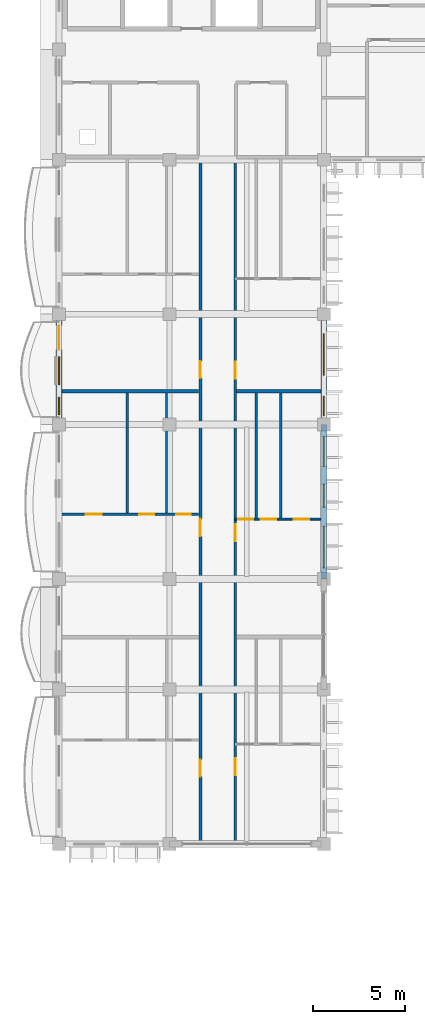
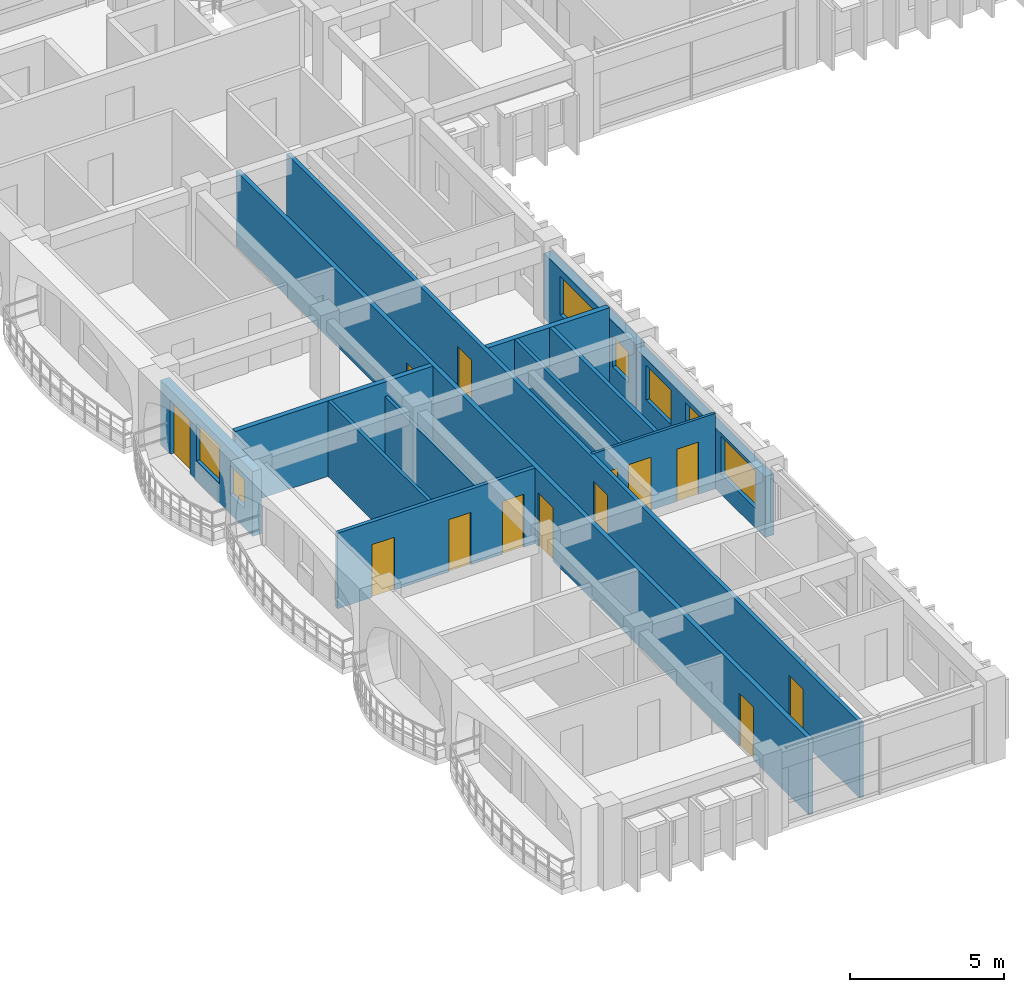
# One storey, part 30 of 76: 13 doors, 13 walls, 7 windows, 20 openings.
"""IFC4 building model written with IfcOpenShell, lengths in metres."""

from ifc_helpers import new_model, si_unit, direction, frame, frame_2d, origin, place, context, subcontext, project, spatial, rectangle, extrude, material, layer, layer_set, type_object, element, fill, save


model = new_model("IFC4")

# Units and contexts
model_context = context("Model", 3, precision=1e-05, world=origin(), true_north=direction((0.0, 1.0)))
body_context = subcontext(model_context, "Body", "Model", "MODEL_VIEW")
ifc_project = project(units=[si_unit("LENGTHUNIT", "METRE"), si_unit("AREAUNIT", "SQUARE_METRE"), si_unit("VOLUMEUNIT", "CUBIC_METRE"), si_unit("PLANEANGLEUNIT", "RADIAN"), si_unit("MASSUNIT", "GRAM", prefix="KILO"), si_unit("THERMODYNAMICTEMPERATUREUNIT", "KELVIN")], contexts=[model_context])

# Site, building, storey
site_placement = place(None, origin())
site = spatial("IfcSite", under=ifc_project, at=site_placement, CompositionType="ELEMENT")
building_placement = place(site_placement, origin())
building = spatial("IfcBuilding", under=site, at=building_placement, Name="Thalorik Housing Commons", CompositionType="ELEMENT")
storey_placement = place(building_placement, frame((0.0, 0.0, 18.0)))
storey = spatial("IfcBuildingStorey", under=building, at=storey_placement, Name="L05", CompositionType="ELEMENT", Elevation=18.0)

# Wall, openings, doors
ifc_material_1 = material(Name="Masonry fire-rated corridor wall", Category="masonry")
ifc_layer_1 = layer(ifc_material_1, 0.14990234375, Name="Masonry fire-rated corridor wall", Category="masonry")
ifc_layer_set_1 = layer_set([ifc_layer_1], Name="Masonry fire-rated corridor wall")
wall_type_1 = type_object("IfcWallType", Name="ARC-WAL-CORR-150", PredefinedType="PARTITIONING", material=ifc_layer_set_1)
wall_1_placement = place(storey_placement, frame((17.97998046875, 72.06005859375, 0.0), z_axis=(0.0, 0.0, 1.0), x_axis=(0.0, 1.0, 0.0)))
wall_1 = element("IfcWall", 1, at=wall_1_placement, inside=storey, type_object=wall_type_1, Name="L05 Block A W Corridor Wall 2", PredefinedType="PARTITIONING", context=body_context, shape_type="SweptSolid", body=[
    extrude(rectangle(XDim=37.280029296875, YDim=0.14990234375, at=frame_2d((18.64013671875, 0.0))), origin(), (0.0, 0.0, 1.0), 3.0),
])
opening_1_placement = place(wall_1_placement, frame((3.668212890625, 0.0, 0.0)))
opening_1 = element("IfcOpeningElement", 2, at=opening_1_placement, cuts=wall_1, Name="Opening ID-0642", PredefinedType="OPENING", context=body_context, shape_type="SweptSolid", body=[
    extrude(rectangle(XDim=0.919921875, YDim=2.10009765625, at=frame_2d((0.4599609375, 1.050048828125))), frame((0.0, 0.0849609375, 0.0), z_axis=(0.0, -1.0, 0.0), x_axis=(1.0, 0.0, 0.0)), (0.0, 0.0, 1.0), 0.169921875),
])
opening_2_placement = place(wall_1_placement, frame((16.392333984375, 0.0, 0.0)))
opening_2 = element("IfcOpeningElement", 3, at=opening_2_placement, cuts=wall_1, Name="Opening ID-0643", PredefinedType="OPENING", context=body_context, shape_type="SweptSolid", body=[
    extrude(rectangle(XDim=0.919921875, YDim=2.10009765625, at=frame_2d((0.4599609375, 1.050048828125))), frame((0.0, 0.0849609375, 0.0), z_axis=(0.0, -1.0, 0.0), x_axis=(1.0, 0.0, 0.0)), (0.0, 0.0, 1.0), 0.169921875),
])
opening_3_placement = place(wall_1_placement, frame((25.24560546875, 0.0, 0.0)))
opening_3 = element("IfcOpeningElement", 4, at=opening_3_placement, cuts=wall_1, Name="Opening ID-0644", PredefinedType="OPENING", context=body_context, shape_type="SweptSolid", body=[
    extrude(rectangle(XDim=0.919921875, YDim=2.10009765625, at=frame_2d((0.4599609375, 1.050048828125))), frame((0.0, 0.0849609375, 0.0), z_axis=(0.0, -1.0, 0.0), x_axis=(1.0, 0.0, 0.0)), (0.0, 0.0, 1.0), 0.169921875),
])
ifc_material_2 = material(Name="Solid core hardwood timber", Category="wood")
door_type_1 = type_object("IfcDoorType", Name="ARC-DR-FD30-920", OperationType="NOTDEFINED", PredefinedType="DOOR", material=ifc_material_2)
door_1_placement = place(opening_1_placement, origin())
door_1 = element("IfcDoor", 5, at=door_1_placement, inside=storey, type_object=door_type_1, Name="L05 Flat AW-1B Entrance Door", OperationType="SINGLE_SWING_LEFT", OverallHeight=2.10009765625, OverallWidth=0.919921875, PredefinedType="DOOR", context=body_context, shape_type="SweptSolid", body=[
    extrude(rectangle(XDim=0.919921875, YDim=2.10009765625, at=frame_2d((0.4599609375, 1.050048828125))), frame((0.0, 0.02490234375, 0.0), z_axis=(0.0, -1.0, 0.0), x_axis=(1.0, 0.0, 0.0)), (0.0, 0.0, 1.0), 0.050048828125),
])
fill(opening_1, door_1)
door_2_placement = place(opening_2_placement, origin())
door_2 = element("IfcDoor", 6, at=door_2_placement, inside=storey, type_object=door_type_1, Name="L05 Flat AW-2B Entrance Door", OperationType="SINGLE_SWING_RIGHT", OverallHeight=2.10009765625, OverallWidth=0.919921875, PredefinedType="DOOR", context=body_context, shape_type="SweptSolid", body=[
    extrude(rectangle(XDim=0.919921875, YDim=2.10009765625, at=frame_2d((0.4599609375, 1.050048828125))), frame((0.0, 0.02490234375, 0.0), z_axis=(0.0, -1.0, 0.0), x_axis=(1.0, 0.0, 0.0)), (0.0, 0.0, 1.0), 0.050048828125),
])
fill(opening_2, door_2)
door_3_placement = place(opening_3_placement, origin())
door_3 = element("IfcDoor", 7, at=door_3_placement, inside=storey, type_object=door_type_1, Name="L05 Flat AW-3B Entrance Door", OperationType="SINGLE_SWING_LEFT", OverallHeight=2.10009765625, OverallWidth=0.919921875, PredefinedType="DOOR", context=body_context, shape_type="SweptSolid", body=[
    extrude(rectangle(XDim=0.919921875, YDim=2.10009765625, at=frame_2d((0.4599609375, 1.050048828125))), frame((0.0, 0.02490234375, 0.0), z_axis=(0.0, -1.0, 0.0), x_axis=(1.0, 0.0, 0.0)), (0.0, 0.0, 1.0), 0.050048828125),
])
fill(opening_3, door_3)

ifc_layer_2 = layer(ifc_material_1, 0.1650390625, Name="Masonry fire-rated corridor wall", Category="masonry")
ifc_layer_set_2 = layer_set([ifc_layer_2], Name="Masonry fire-rated corridor wall")
wall_type_2 = type_object("IfcWallType", Name="ARC-WAL-CORR-165", PredefinedType="PARTITIONING", material=ifc_layer_set_2)
wall_2_placement = place(storey_placement, frame((16.080078125, 72.06005859375, 0.0), z_axis=(0.0, 0.0, 1.0), x_axis=(0.0, 1.0, 0.0)))
wall_2 = element("IfcWall", 8, at=wall_2_placement, inside=storey, type_object=wall_type_2, Name="L05 Block A W Corridor Wall 1", PredefinedType="PARTITIONING", context=body_context, shape_type="SweptSolid", body=[
    extrude(rectangle(XDim=37.280029296875, YDim=0.1650390625, at=frame_2d((18.64013671875, 0.0))), origin(), (0.0, 0.0, 1.0), 3.0),
])
opening_4_placement = place(wall_2_placement, frame((3.605712890625, 0.0, 0.0)))
opening_4 = element("IfcOpeningElement", 9, at=opening_4_placement, cuts=wall_2, Name="Opening ID-0639", PredefinedType="OPENING", context=body_context, shape_type="SweptSolid", body=[
    extrude(rectangle(XDim=0.919921875, YDim=2.10009765625, at=frame_2d((0.4599609375, 1.050048828125))), frame((0.0, 0.092529296875, 0.0), z_axis=(0.0, -1.0, 0.0), x_axis=(1.0, 0.0, 0.0)), (0.0, 0.0, 1.0), 0.18505859375),
])
opening_5_placement = place(wall_2_placement, frame((16.659912109375, 0.0, 0.0)))
opening_5 = element("IfcOpeningElement", 10, at=opening_5_placement, cuts=wall_2, Name="Opening ID-0640", PredefinedType="OPENING", context=body_context, shape_type="SweptSolid", body=[
    extrude(rectangle(XDim=0.9599609375, YDim=2.1201171875, at=frame_2d((0.47998046875, 1.06005859375))), frame((0.0, 0.092529296875, 0.0), z_axis=(0.0, -1.0, 0.0), x_axis=(1.0, 0.0, 0.0)), (0.0, 0.0, 1.0), 0.18505859375),
])
opening_6_placement = place(wall_2_placement, frame((25.269287109375, 0.0, 0.0)))
opening_6 = element("IfcOpeningElement", 11, at=opening_6_placement, cuts=wall_2, Name="Opening ID-0641", PredefinedType="OPENING", context=body_context, shape_type="SweptSolid", body=[
    extrude(rectangle(XDim=0.919921875, YDim=2.10009765625, at=frame_2d((0.4599609375, 1.050048828125))), frame((0.0, 0.092529296875, 0.0), z_axis=(0.0, -1.0, 0.0), x_axis=(1.0, 0.0, 0.0)), (0.0, 0.0, 1.0), 0.18505859375),
])
door_4_placement = place(opening_4_placement, origin())
door_4 = element("IfcDoor", 12, at=door_4_placement, inside=storey, type_object=door_type_1, Name="L05 Flat AW-1A Entrance Door", OperationType="SINGLE_SWING_RIGHT", OverallHeight=2.10009765625, OverallWidth=0.919921875, PredefinedType="DOOR", context=body_context, shape_type="SweptSolid", body=[
    extrude(rectangle(XDim=0.919921875, YDim=2.10009765625, at=frame_2d((0.4599609375, 1.050048828125))), frame((0.0, 0.02490234375, 0.0), z_axis=(0.0, -1.0, 0.0), x_axis=(1.0, 0.0, 0.0)), (0.0, 0.0, 1.0), 0.050048828125),
])
fill(opening_4, door_4)
door_5_placement = place(opening_6_placement, origin())
door_5 = element("IfcDoor", 13, at=door_5_placement, inside=storey, type_object=door_type_1, Name="L05 Flat AW-3A Entrance Door", OperationType="SINGLE_SWING_RIGHT", OverallHeight=2.10009765625, OverallWidth=0.919921875, PredefinedType="DOOR", context=body_context, shape_type="SweptSolid", body=[
    extrude(rectangle(XDim=0.919921875, YDim=2.10009765625, at=frame_2d((0.4599609375, 1.050048828125))), frame((0.0, 0.02490234375, 0.0), z_axis=(0.0, -1.0, 0.0), x_axis=(1.0, 0.0, 0.0)), (0.0, 0.0, 1.0), 0.050048828125),
])
fill(opening_6, door_5)
door_type_2 = type_object("IfcDoorType", Name="ARC-DR-FD30-960", OperationType="NOTDEFINED", PredefinedType="DOOR", material=ifc_material_2)
door_6_placement = place(opening_5_placement, origin())
door_6 = element("IfcDoor", 14, at=door_6_placement, inside=storey, type_object=door_type_2, Name="L05 Flat AW-2A Entrance Door", OperationType="SINGLE_SWING_LEFT", OverallHeight=2.1201171875, OverallWidth=0.9599609375, PredefinedType="DOOR", context=body_context, shape_type="SweptSolid", body=[
    extrude(rectangle(XDim=0.9599609375, YDim=2.1201171875, at=frame_2d((0.47998046875, 1.06005859375))), frame((0.0, 0.02490234375, 0.0), z_axis=(0.0, -1.0, 0.0), x_axis=(1.0, 0.0, 0.0)), (0.0, 0.0, 1.0), 0.050048828125),
])
fill(opening_5, door_6)

# Wall, openings, door, windows
ifc_material_3 = material(Name="White precast concrete C40/50", Category="concrete")
ifc_layer_3 = layer(ifc_material_3, 0.3349609375, Name="White precast concrete C40/50", Category="concrete")
ifc_layer_set_3 = layer_set([ifc_layer_3], Name="White precast concrete C40/50")
wall_type_3 = type_object("IfcWallType", Name="ARC-WAL-EXT-335", PredefinedType="STANDARD", material=ifc_layer_set_3)
wall_3_placement = place(storey_placement, frame((8.39990234375, 100.800048828125, 0.0), z_axis=(0.0, 0.0, 1.0), x_axis=(0.0, -1.0, 0.0)))
wall_3 = element("IfcWall", 15, at=wall_3_placement, inside=storey, type_object=wall_type_3, Name="L05 Exterior Wall WAL-EXT-L05-A-0158", PredefinedType="STANDARD", context=body_context, shape_type="SweptSolid", body=[
    extrude(rectangle(XDim=6.0, YDim=0.3349609375, at=frame_2d((3.0, 0.0))), origin(), (0.0, 0.0, 1.0), 2.574951171875),
])
opening_7_placement = place(wall_3_placement, frame((0.6201171875, 0.0, 0.0)))
opening_7 = element("IfcOpeningElement", 16, at=opening_7_placement, cuts=wall_3, Name="Opening ED-0046", PredefinedType="OPENING", context=body_context, shape_type="SweptSolid", body=[
    extrude(rectangle(XDim=1.300048828125, YDim=2.14990234375, at=frame_2d((0.64990234375, 1.074951171875))), frame((0.0, 0.177490234375, 0.0), z_axis=(0.0, -1.0, 0.0), x_axis=(1.0, 0.0, 0.0)), (0.0, 0.0, 1.0), 0.35498046875),
])
opening_8_placement = place(wall_3_placement, frame((2.324951171875, 0.0, 0.780029296875)))
opening_8 = element("IfcOpeningElement", 17, at=opening_8_placement, cuts=wall_3, Name="Opening W-10", PredefinedType="OPENING", context=body_context, shape_type="SweptSolid", body=[
    extrude(rectangle(XDim=1.5, YDim=1.5, at=frame_2d((0.75, 0.75))), frame((0.0, 0.177490234375, 0.0), z_axis=(0.0, -1.0, 0.0), x_axis=(1.0, 0.0, 0.0)), (0.0, 0.0, 1.0), 0.35498046875),
])
opening_9_placement = place(wall_3_placement, frame((4.52001953125, 0.0, 0.780029296875)))
opening_9 = element("IfcOpeningElement", 18, at=opening_9_placement, cuts=wall_3, Name="Opening W-43", PredefinedType="OPENING", context=body_context, shape_type="SweptSolid", body=[
    extrude(rectangle(XDim=0.949951171875, YDim=1.14990234375, at=frame_2d((0.47509765625, 0.574951171875))), frame((0.0, 0.177490234375, 0.0), z_axis=(0.0, -1.0, 0.0), x_axis=(1.0, 0.0, 0.0)), (0.0, 0.0, 1.0), 0.35498046875),
])
ifc_material_4 = material(Name="Anodised aluminium and laminated safety glass", Category="aluminium")
door_type_3 = type_object("IfcDoorType", Name="ARC-DR-BAL-1300", OperationType="NOTDEFINED", PredefinedType="DOOR", material=ifc_material_4)
door_7_placement = place(opening_7_placement, frame((1.300048828125, 0.0, 0.0), z_axis=(0.0, 0.0, 1.0), x_axis=(-1.0, 0.0, 0.0)))
door_7 = element("IfcDoor", 19, at=door_7_placement, inside=storey, type_object=door_type_3, Name="L05 Block A Balcony Glazed Door", OperationType="SINGLE_SWING_LEFT", OverallHeight=2.14990234375, OverallWidth=1.300048828125, PredefinedType="DOOR", context=body_context, shape_type="SweptSolid", body=[
    extrude(rectangle(XDim=1.300048828125, YDim=2.14990234375, at=frame_2d((0.64990234375, 1.074951171875))), frame((0.0, 0.02490234375, 0.0), z_axis=(0.0, -1.0, 0.0), x_axis=(1.0, 0.0, 0.0)), (0.0, 0.0, 1.0), 0.050048828125),
])
fill(opening_7, door_7)
ifc_material_5 = material(Name="Anodised aluminium and solar-control low-E glass", Category="aluminium")
window_type_1 = type_object("IfcWindowType", Name="ARC-WIN-10", PartitioningType="SINGLE_PANEL", PredefinedType="WINDOW", material=ifc_material_5)
window_1_placement = place(opening_8_placement, origin())
window_1 = element("IfcWindow", 20, at=window_1_placement, inside=storey, type_object=window_type_1, Name="L05 Facade Window 281", OverallHeight=1.5, OverallWidth=1.5, PartitioningType="SINGLE_PANEL", PredefinedType="WINDOW", context=body_context, shape_type="SweptSolid", body=[
    extrude(rectangle(XDim=1.5, YDim=1.5, at=frame_2d((0.75, 0.75))), frame((0.0, 0.030029296875, 0.0), z_axis=(0.0, -1.0, 0.0), x_axis=(1.0, 0.0, 0.0)), (0.0, 0.0, 1.0), 0.06005859375),
])
fill(opening_8, window_1)
window_type_2 = type_object("IfcWindowType", Name="ARC-WIN-43", PartitioningType="SINGLE_PANEL", PredefinedType="WINDOW", material=ifc_material_5)
window_2_placement = place(opening_9_placement, origin())
window_2 = element("IfcWindow", 21, at=window_2_placement, inside=storey, type_object=window_type_2, Name="L05 Facade Window 282", OverallHeight=1.14990234375, OverallWidth=0.949951171875, PartitioningType="SINGLE_PANEL", PredefinedType="WINDOW", context=body_context, shape_type="SweptSolid", body=[
    extrude(rectangle(XDim=0.949951171875, YDim=1.14990234375, at=frame_2d((0.47509765625, 0.574951171875))), frame((0.0, 0.030029296875, 0.0), z_axis=(0.0, -1.0, 0.0), x_axis=(1.0, 0.0, 0.0)), (0.0, 0.0, 1.0), 0.06005859375),
])
fill(opening_9, window_2)

# Wall, openings, windows
wall_4_placement = place(storey_placement, frame((22.800048828125, 86.39990234375, 0.0), z_axis=(0.0, 0.0, 1.0), x_axis=(0.0, 1.0, 0.0)))
wall_4 = element("IfcWall", 22, at=wall_4_placement, inside=storey, type_object=wall_type_3, Name="L05 Exterior Wall WAL-EXT-L05-A-0166", PredefinedType="STANDARD", context=body_context, shape_type="SweptSolid", body=[
    extrude(rectangle(XDim=8.400146484375, YDim=0.3349609375, at=frame_2d((4.2001953125, 0.0))), origin(), (0.0, 0.0, 1.0), 2.425048828125),
])
opening_10_placement = place(wall_4_placement, frame((0.606201171875, 0.0, 0.780029296875)))
opening_10 = element("IfcOpeningElement", 23, at=opening_10_placement, cuts=wall_4, Name="Opening W-66", PredefinedType="OPENING", context=body_context, shape_type="SweptSolid", body=[
    extrude(rectangle(XDim=2.239990234375, YDim=1.52001953125, at=frame_2d((1.1201171875, 0.760009765625))), frame((0.0, 0.177490234375, 0.0), z_axis=(0.0, -1.0, 0.0), x_axis=(1.0, 0.0, 0.0)), (0.0, 0.0, 1.0), 0.35498046875),
])
opening_11_placement = place(wall_4_placement, frame((3.9091796875, 0.0, 0.780029296875)))
opening_11 = element("IfcOpeningElement", 24, at=opening_11_placement, cuts=wall_4, Name="Opening W-47", PredefinedType="OPENING", context=body_context, shape_type="SweptSolid", body=[
    extrude(rectangle(XDim=1.25, YDim=1.449951171875, at=frame_2d((0.625, 0.72509765625))), frame((0.0, 0.177490234375, 0.0), z_axis=(0.0, -1.0, 0.0), x_axis=(1.0, 0.0, 0.0)), (0.0, 0.0, 1.0), 0.35498046875),
])
opening_12_placement = place(wall_4_placement, frame((6.128173828125, 0.0, 0.780029296875)))
opening_12 = element("IfcOpeningElement", 25, at=opening_12_placement, cuts=wall_4, Name="Opening W-54", PredefinedType="OPENING", context=body_context, shape_type="SweptSolid", body=[
    extrude(rectangle(XDim=1.6201171875, YDim=1.3798828125, at=frame_2d((0.81005859375, 0.68994140625))), frame((0.0, 0.177490234375, 0.0), z_axis=(0.0, -1.0, 0.0), x_axis=(1.0, 0.0, 0.0)), (0.0, 0.0, 1.0), 0.35498046875),
])
window_type_3 = type_object("IfcWindowType", Name="ARC-WIN-47", PartitioningType="SINGLE_PANEL", PredefinedType="WINDOW", material=ifc_material_5)
window_3_placement = place(opening_11_placement, origin())
window_3 = element("IfcWindow", 26, at=window_3_placement, inside=storey, type_object=window_type_3, Name="L05 Facade Window 294", OverallHeight=1.449951171875, OverallWidth=1.25, PartitioningType="SINGLE_PANEL", PredefinedType="WINDOW", context=body_context, shape_type="SweptSolid", body=[
    extrude(rectangle(XDim=1.25, YDim=1.449951171875, at=frame_2d((0.625, 0.72509765625))), frame((0.0, 0.030029296875, 0.0), z_axis=(0.0, -1.0, 0.0), x_axis=(1.0, 0.0, 0.0)), (0.0, 0.0, 1.0), 0.06005859375),
])
fill(opening_11, window_3)
window_type_4 = type_object("IfcWindowType", Name="ARC-WIN-54", PartitioningType="DOUBLE_PANEL_VERTICAL", PredefinedType="WINDOW", material=ifc_material_5)
window_4_placement = place(opening_12_placement, origin())
window_4 = element("IfcWindow", 27, at=window_4_placement, inside=storey, type_object=window_type_4, Name="L05 Facade Window 295", OverallHeight=1.3798828125, OverallWidth=1.6201171875, PartitioningType="DOUBLE_PANEL_VERTICAL", PredefinedType="WINDOW", context=body_context, shape_type="SweptSolid", body=[
    extrude(rectangle(XDim=1.6201171875, YDim=1.3798828125, at=frame_2d((0.81005859375, 0.68994140625))), frame((0.0, 0.030029296875, 0.0), z_axis=(0.0, -1.0, 0.0), x_axis=(1.0, 0.0, 0.0)), (0.0, 0.0, 1.0), 0.06005859375),
])
fill(opening_12, window_4)
window_type_5 = type_object("IfcWindowType", Name="ARC-WIN-66", PartitioningType="DOUBLE_PANEL_VERTICAL", PredefinedType="WINDOW", material=ifc_material_5)
window_5_placement = place(opening_10_placement, origin())
window_5 = element("IfcWindow", 28, at=window_5_placement, inside=storey, type_object=window_type_5, Name="L05 Facade Window 293", OverallHeight=1.52001953125, OverallWidth=2.239990234375, PartitioningType="DOUBLE_PANEL_VERTICAL", PredefinedType="WINDOW", context=body_context, shape_type="SweptSolid", body=[
    extrude(rectangle(XDim=2.239990234375, YDim=1.52001953125, at=frame_2d((1.1201171875, 0.760009765625))), frame((0.0, 0.030029296875, 0.0), z_axis=(0.0, -1.0, 0.0), x_axis=(1.0, 0.0, 0.0)), (0.0, 0.0, 1.0), 0.06005859375),
])
fill(opening_10, window_5)

wall_5_placement = place(storey_placement, frame((22.800048828125, 94.800048828125, 0.0), z_axis=(0.0, 0.0, 1.0), x_axis=(0.0, 1.0, 0.0)))
wall_5 = element("IfcWall", 29, at=wall_5_placement, inside=storey, type_object=wall_type_3, Name="L05 Exterior Wall WAL-EXT-L05-A-0167", PredefinedType="STANDARD", context=body_context, shape_type="SweptSolid", body=[
    extrude(rectangle(XDim=6.0, YDim=0.3349609375, at=frame_2d((3.0, 0.0))), origin(), (0.0, 0.0, 1.0), 2.574951171875),
])
opening_13_placement = place(wall_5_placement, frame((0.47998046875, 0.0, 0.780029296875)))
opening_13 = element("IfcOpeningElement", 30, at=opening_13_placement, cuts=wall_5, Name="Opening W-44", PredefinedType="OPENING", context=body_context, shape_type="SweptSolid", body=[
    extrude(rectangle(XDim=1.050048828125, YDim=1.199951171875, at=frame_2d((0.52490234375, 0.60009765625))), frame((0.0, 0.177490234375, 0.0), z_axis=(0.0, -1.0, 0.0), x_axis=(1.0, 0.0, 0.0)), (0.0, 0.0, 1.0), 0.35498046875),
])
opening_14_placement = place(wall_5_placement, frame((2.695068359375, 0.0, 0.780029296875)))
opening_14 = element("IfcOpeningElement", 31, at=opening_14_placement, cuts=wall_5, Name="Opening W-66", PredefinedType="OPENING", context=body_context, shape_type="SweptSolid", body=[
    extrude(rectangle(XDim=2.239990234375, YDim=1.52001953125, at=frame_2d((1.1201171875, 0.760009765625))), frame((0.0, 0.177490234375, 0.0), z_axis=(0.0, -1.0, 0.0), x_axis=(1.0, 0.0, 0.0)), (0.0, 0.0, 1.0), 0.35498046875),
])
window_type_6 = type_object("IfcWindowType", Name="ARC-WIN-44", PartitioningType="SINGLE_PANEL", PredefinedType="WINDOW", material=ifc_material_5)
window_6_placement = place(opening_13_placement, origin())
window_6 = element("IfcWindow", 32, at=window_6_placement, inside=storey, type_object=window_type_6, Name="L05 Facade Window 296", OverallHeight=1.199951171875, OverallWidth=1.050048828125, PartitioningType="SINGLE_PANEL", PredefinedType="WINDOW", context=body_context, shape_type="SweptSolid", body=[
    extrude(rectangle(XDim=1.050048828125, YDim=1.199951171875, at=frame_2d((0.52490234375, 0.60009765625))), frame((0.0, 0.030029296875, 0.0), z_axis=(0.0, -1.0, 0.0), x_axis=(1.0, 0.0, 0.0)), (0.0, 0.0, 1.0), 0.06005859375),
])
fill(opening_13, window_6)
window_7_placement = place(opening_14_placement, origin())
window_7 = element("IfcWindow", 33, at=window_7_placement, inside=storey, type_object=window_type_5, Name="L05 Facade Window 297", OverallHeight=1.52001953125, OverallWidth=2.239990234375, PartitioningType="DOUBLE_PANEL_VERTICAL", PredefinedType="WINDOW", context=body_context, shape_type="SweptSolid", body=[
    extrude(rectangle(XDim=2.239990234375, YDim=1.52001953125, at=frame_2d((1.1201171875, 0.760009765625))), frame((0.0, 0.030029296875, 0.0), z_axis=(0.0, -1.0, 0.0), x_axis=(1.0, 0.0, 0.0)), (0.0, 0.0, 1.0), 0.06005859375),
])
fill(opening_14, window_7)

# Wall, openings, doors
ifc_material_6 = material(Name="Gypsum light stud partition", Category="masonry")
ifc_layer_4 = layer(ifc_material_6, 0.10009765625, Name="Gypsum light stud partition", Category="masonry")
ifc_layer_set_4 = layer_set([ifc_layer_4], Name="Gypsum light stud partition")
wall_type_4 = type_object("IfcWallType", Name="ARC-WAL-PART-100", PredefinedType="PARTITIONING", material=ifc_layer_set_4)
wall_6_placement = place(storey_placement, frame((17.97998046875, 89.662353515625, 0.0), z_axis=(0.0, 0.0, 1.0), x_axis=(1.0, 0.0, 0.0)))
wall_6 = element("IfcWall", 34, at=wall_6_placement, inside=storey, type_object=wall_type_4, Name="L05 Unit 2B Spine Partition", PredefinedType="PARTITIONING", context=body_context, shape_type="SweptSolid", body=[
    extrude(rectangle(XDim=4.650634765625, YDim=0.10009765625, at=frame_2d((2.3251953125, 0.0))), origin(), (0.0, 0.0, 1.0), 3.0),
])
opening_15_placement = place(wall_6_placement, frame((0.171142578125, 0.0, 0.0)))
opening_15 = element("IfcOpeningElement", 35, at=opening_15_placement, cuts=wall_6, Name="Opening ID-0630", PredefinedType="OPENING", context=body_context, shape_type="SweptSolid", body=[
    extrude(rectangle(XDim=0.800048828125, YDim=2.10009765625, at=frame_2d((0.39990234375, 1.050048828125))), frame((0.0, 0.06005859375, 0.0), z_axis=(0.0, -1.0, 0.0), x_axis=(1.0, 0.0, 0.0)), (0.0, 0.0, 1.0), 0.1201171875),
])
opening_16_placement = place(wall_6_placement, frame((1.3837890625, 0.0, 0.0)))
opening_16 = element("IfcOpeningElement", 36, at=opening_16_placement, cuts=wall_6, Name="Opening ID-0631", PredefinedType="OPENING", context=body_context, shape_type="SweptSolid", body=[
    extrude(rectangle(XDim=0.85009765625, YDim=2.10009765625, at=frame_2d((0.425048828125, 1.050048828125))), frame((0.0, 0.06005859375, 0.0), z_axis=(0.0, -1.0, 0.0), x_axis=(1.0, 0.0, 0.0)), (0.0, 0.0, 1.0), 0.1201171875),
])
opening_17_placement = place(wall_6_placement, frame((3.192626953125, 0.0, 0.0)))
opening_17 = element("IfcOpeningElement", 37, at=opening_17_placement, cuts=wall_6, Name="Opening ID-0632", PredefinedType="OPENING", context=body_context, shape_type="SweptSolid", body=[
    extrude(rectangle(XDim=0.820068359375, YDim=2.080078125, at=frame_2d((0.41015625, 1.0400390625))), frame((0.0, 0.06005859375, 0.0), z_axis=(0.0, -1.0, 0.0), x_axis=(1.0, 0.0, 0.0)), (0.0, 0.0, 1.0), 0.1201171875),
])
ifc_material_7 = material(Name="Moisture-resistant timber", Category="wood")
door_type_4 = type_object("IfcDoorType", Name="ARC-DR-INT-800", OperationType="NOTDEFINED", PredefinedType="DOOR", material=ifc_material_7)
door_8_placement = place(opening_15_placement, origin())
door_8 = element("IfcDoor", 38, at=door_8_placement, inside=storey, type_object=door_type_4, Name="L05 Flat Bathroom Door", OperationType="SINGLE_SWING_LEFT", OverallHeight=2.10009765625, OverallWidth=0.800048828125, PredefinedType="DOOR", context=body_context, shape_type="SweptSolid", body=[
    extrude(rectangle(XDim=0.800048828125, YDim=2.10009765625, at=frame_2d((0.39990234375, 1.050048828125))), frame((0.0, 0.02490234375, 0.0), z_axis=(0.0, -1.0, 0.0), x_axis=(1.0, 0.0, 0.0)), (0.0, 0.0, 1.0), 0.050048828125),
])
fill(opening_15, door_8)
ifc_material_8 = material(Name="Engineered oak timber", Category="wood")
door_type_5 = type_object("IfcDoorType", Name="ARC-DR-INT-820", OperationType="NOTDEFINED", PredefinedType="DOOR", material=ifc_material_8)
door_9_placement = place(opening_17_placement, origin())
door_9 = element("IfcDoor", 39, at=door_9_placement, inside=storey, type_object=door_type_5, Name="L05 Master Bedroom Door", OperationType="SINGLE_SWING_LEFT", OverallHeight=2.080078125, OverallWidth=0.820068359375, PredefinedType="DOOR", context=body_context, shape_type="SweptSolid", body=[
    extrude(rectangle(XDim=0.820068359375, YDim=2.080078125, at=frame_2d((0.41015625, 1.0400390625))), frame((0.0, 0.02490234375, 0.0), z_axis=(0.0, -1.0, 0.0), x_axis=(1.0, 0.0, 0.0)), (0.0, 0.0, 1.0), 0.050048828125),
])
fill(opening_17, door_9)
door_type_6 = type_object("IfcDoorType", Name="ARC-DR-INT-850", OperationType="NOTDEFINED", PredefinedType="DOOR", material=ifc_material_8)
door_10_placement = place(opening_16_placement, origin())
door_10 = element("IfcDoor", 40, at=door_10_placement, inside=storey, type_object=door_type_6, Name="L05 Galley Kitchen Door", OperationType="SINGLE_SWING_RIGHT", OverallHeight=2.10009765625, OverallWidth=0.85009765625, PredefinedType="DOOR", context=body_context, shape_type="SweptSolid", body=[
    extrude(rectangle(XDim=0.85009765625, YDim=2.10009765625, at=frame_2d((0.425048828125, 1.050048828125))), frame((0.0, 0.02490234375, 0.0), z_axis=(0.0, -1.0, 0.0), x_axis=(1.0, 0.0, 0.0)), (0.0, 0.0, 1.0), 0.050048828125),
])
fill(opening_16, door_10)

# Walls
ifc_material_9 = material(Name="Gypsum moisture-resistant partition", Category="masonry")
ifc_layer_5 = layer(ifc_material_9, 0.114990234375, Name="Gypsum moisture-resistant partition", Category="masonry")
ifc_layer_set_5 = layer_set([ifc_layer_5], Name="Gypsum moisture-resistant partition")
wall_type_5 = type_object("IfcWallType", Name="ARC-WAL-PART-115", PredefinedType="PARTITIONING", material=ifc_layer_set_5)
wall_7_placement = place(storey_placement, frame((14.251220703125, 90.001953125, 0.0), z_axis=(0.0, 0.0, 1.0), x_axis=(0.0, 1.0, 0.0)))
element("IfcWall", 41, at=wall_7_placement, inside=storey, type_object=wall_type_5, Name="L05 Unit 2 Wet Wall", PredefinedType="PARTITIONING", context=body_context, shape_type="SweptSolid", body=[
    extrude(rectangle(XDim=6.5234375, YDim=0.114990234375, at=frame_2d((3.26171875, 0.0))), origin(), (0.0, 0.0, 1.0), 2.425048828125),
])
ifc_material_10 = material(Name="Gypsum acoustic stud partition", Category="masonry")
ifc_layer_6 = layer(ifc_material_10, 0.125, Name="Gypsum acoustic stud partition", Category="masonry")
ifc_layer_set_6 = layer_set([ifc_layer_6], Name="Gypsum acoustic stud partition")
wall_type_6 = type_object("IfcWallType", Name="ARC-WAL-PART-125", PredefinedType="PARTITIONING", material=ifc_layer_set_6)
wall_8_placement = place(storey_placement, frame((12.11767578125, 90.001953125, 0.0), z_axis=(0.0, 0.0, 1.0), x_axis=(0.0, 1.0, 0.0)))
element("IfcWall", 42, at=wall_8_placement, inside=storey, type_object=wall_type_6, Name="L05 Unit 2 Bedroom Partition", PredefinedType="PARTITIONING", context=body_context, shape_type="SweptSolid", body=[
    extrude(rectangle(XDim=6.5234375, YDim=0.125, at=frame_2d((3.26171875, 0.0))), origin(), (0.0, 0.0, 1.0), 3.0),
])
wall_9_placement = place(storey_placement, frame((19.122314453125, 89.71435546875, 0.0), z_axis=(0.0, 0.0, 1.0), x_axis=(0.0, 1.0, 0.0)))
element("IfcWall", 43, at=wall_9_placement, inside=storey, type_object=wall_type_6, Name="L05 Unit 2B Wet Wall", PredefinedType="PARTITIONING", context=body_context, shape_type="SweptSolid", body=[
    extrude(rectangle(XDim=6.8037109375, YDim=0.125, at=frame_2d((3.40185546875, 0.0))), origin(), (0.0, 0.0, 1.0), 3.0),
])

# Wall, openings, doors
ifc_material_11 = material(Name="Ceramic masonry partition wall", Category="masonry")
ifc_layer_7 = layer(ifc_material_11, 0.139892578125, Name="Ceramic masonry partition wall", Category="masonry")
ifc_layer_set_7 = layer_set([ifc_layer_7], Name="Ceramic masonry partition wall")
wall_type_7 = type_object("IfcWallType", Name="ARC-WAL-PART-140", PredefinedType="PARTITIONING", material=ifc_layer_set_7)
wall_10_placement = place(storey_placement, frame((8.569580078125, 89.929931640625, 0.0), z_axis=(0.0, 0.0, 1.0), x_axis=(1.0, 0.0, 0.0)))
wall_10 = element("IfcWall", 44, at=wall_10_placement, inside=storey, type_object=wall_type_7, Name="L05 Unit 2 Spine Partition", PredefinedType="PARTITIONING", context=body_context, shape_type="SweptSolid", body=[
    extrude(rectangle(XDim=7.426025390625, YDim=0.139892578125, at=frame_2d((3.712890625, 0.0))), origin(), (0.0, 0.0, 1.0), 3.0),
])
opening_18_placement = place(wall_10_placement, frame((1.294189453125, 0.0, 0.0)))
opening_18 = element("IfcOpeningElement", 45, at=opening_18_placement, cuts=wall_10, Name="Opening ID-0627", PredefinedType="OPENING", context=body_context, shape_type="SweptSolid", body=[
    extrude(rectangle(XDim=0.85009765625, YDim=2.10009765625, at=frame_2d((0.425048828125, 1.050048828125))), frame((0.0, 0.080078125, 0.0), z_axis=(0.0, -1.0, 0.0), x_axis=(1.0, 0.0, 0.0)), (0.0, 0.0, 1.0), 0.159912109375),
])
opening_19_placement = place(wall_10_placement, frame((4.18994140625, 0.0, 0.0)))
opening_19 = element("IfcOpeningElement", 46, at=opening_19_placement, cuts=wall_10, Name="Opening ID-0628", PredefinedType="OPENING", context=body_context, shape_type="SweptSolid", body=[
    extrude(rectangle(XDim=0.820068359375, YDim=2.080078125, at=frame_2d((0.41015625, 1.0400390625))), frame((0.0, 0.080078125, 0.0), z_axis=(0.0, -1.0, 0.0), x_axis=(1.0, 0.0, 0.0)), (0.0, 0.0, 1.0), 0.159912109375),
])
opening_20_placement = place(wall_10_placement, frame((6.196044921875, 0.0, 0.0)))
opening_20 = element("IfcOpeningElement", 47, at=opening_20_placement, cuts=wall_10, Name="Opening ID-0629", PredefinedType="OPENING", context=body_context, shape_type="SweptSolid", body=[
    extrude(rectangle(XDim=0.800048828125, YDim=2.10009765625, at=frame_2d((0.39990234375, 1.050048828125))), frame((0.0, 0.080078125, 0.0), z_axis=(0.0, -1.0, 0.0), x_axis=(1.0, 0.0, 0.0)), (0.0, 0.0, 1.0), 0.159912109375),
])
door_11_placement = place(opening_20_placement, origin())
door_11 = element("IfcDoor", 48, at=door_11_placement, inside=storey, type_object=door_type_4, Name="L05 Flat Bathroom Door", OperationType="SINGLE_SWING_RIGHT", OverallHeight=2.10009765625, OverallWidth=0.800048828125, PredefinedType="DOOR", context=body_context, shape_type="SweptSolid", body=[
    extrude(rectangle(XDim=0.800048828125, YDim=2.10009765625, at=frame_2d((0.39990234375, 1.050048828125))), frame((0.0, 0.02490234375, 0.0), z_axis=(0.0, -1.0, 0.0), x_axis=(1.0, 0.0, 0.0)), (0.0, 0.0, 1.0), 0.050048828125),
])
fill(opening_20, door_11)
door_12_placement = place(opening_19_placement, origin())
door_12 = element("IfcDoor", 49, at=door_12_placement, inside=storey, type_object=door_type_5, Name="L05 Eat-In Kitchen Door", OperationType="SINGLE_SWING_LEFT", OverallHeight=2.080078125, OverallWidth=0.820068359375, PredefinedType="DOOR", context=body_context, shape_type="SweptSolid", body=[
    extrude(rectangle(XDim=0.820068359375, YDim=2.080078125, at=frame_2d((0.41015625, 1.0400390625))), frame((0.0, 0.02490234375, 0.0), z_axis=(0.0, -1.0, 0.0), x_axis=(1.0, 0.0, 0.0)), (0.0, 0.0, 1.0), 0.050048828125),
])
fill(opening_19, door_12)
door_13_placement = place(opening_18_placement, origin())
door_13 = element("IfcDoor", 50, at=door_13_placement, inside=storey, type_object=door_type_6, Name="L05 Master Bedroom Door", OperationType="SINGLE_SWING_RIGHT", OverallHeight=2.10009765625, OverallWidth=0.85009765625, PredefinedType="DOOR", context=body_context, shape_type="SweptSolid", body=[
    extrude(rectangle(XDim=0.85009765625, YDim=2.10009765625, at=frame_2d((0.425048828125, 1.050048828125))), frame((0.0, 0.02490234375, 0.0), z_axis=(0.0, -1.0, 0.0), x_axis=(1.0, 0.0, 0.0)), (0.0, 0.0, 1.0), 0.050048828125),
])
fill(opening_18, door_13)

# Walls
wall_11_placement = place(storey_placement, frame((20.455078125, 89.71435546875, 0.0), z_axis=(0.0, 0.0, 1.0), x_axis=(0.0, 1.0, 0.0)))
element("IfcWall", 51, at=wall_11_placement, inside=storey, type_object=wall_type_7, Name="L05 Unit 2B Bedroom Partition", PredefinedType="PARTITIONING", context=body_context, shape_type="SweptSolid", body=[
    extrude(rectangle(XDim=6.8037109375, YDim=0.139892578125, at=frame_2d((3.40185546875, 0.0))), origin(), (0.0, 0.0, 1.0), 3.0),
])
ifc_material_12 = material(Name="Masonry acoustic blockwork wall", Category="masonry")
ifc_layer_8 = layer(ifc_material_12, 0.18505859375, Name="Masonry acoustic blockwork wall", Category="masonry")
ifc_layer_set_8 = layer_set([ifc_layer_8], Name="Masonry acoustic blockwork wall")
wall_type_8 = type_object("IfcWallType", Name="ARC-WAL-PARTY-185", PredefinedType="PARTITIONING", material=ifc_layer_set_8)
wall_12_placement = place(storey_placement, frame((8.569580078125, 96.6201171875, 0.0), z_axis=(0.0, 0.0, 1.0), x_axis=(1.0, 0.0, 0.0)))
element("IfcWall", 52, at=wall_12_placement, inside=storey, type_object=wall_type_8, Name="L05 Inter-Tenancy Wall 2A", PredefinedType="PARTITIONING", context=body_context, shape_type="SweptSolid", body=[
    extrude(rectangle(XDim=7.426025390625, YDim=0.18505859375, at=frame_2d((3.712890625, 0.0))), origin(), (0.0, 0.0, 1.0), 3.0),
])
ifc_material_13 = material(Name="Precast concrete C40/50 acoustic wall", Category="concrete")
ifc_layer_9 = layer(ifc_material_13, 0.199951171875, Name="Precast concrete C40/50 acoustic wall", Category="concrete")
ifc_layer_set_9 = layer_set([ifc_layer_9], Name="Precast concrete C40/50 acoustic wall")
wall_type_9 = type_object("IfcWallType", Name="ARC-WAL-PARTY-200", PredefinedType="PARTITIONING", material=ifc_layer_set_9)
wall_13_placement = place(storey_placement, frame((18.056884765625, 96.6201171875, 0.0), z_axis=(0.0, 0.0, 1.0), x_axis=(1.0, 0.0, 0.0)))
element("IfcWall", 53, at=wall_13_placement, inside=storey, type_object=wall_type_9, Name="L05 Inter-Tenancy Wall 2B", PredefinedType="PARTITIONING", context=body_context, shape_type="SweptSolid", body=[
    extrude(rectangle(XDim=4.57373046875, YDim=0.199951171875, at=frame_2d((2.286865234375, 0.0))), origin(), (0.0, 0.0, 1.0), 3.0),
])

save(model, "model.ifc")
